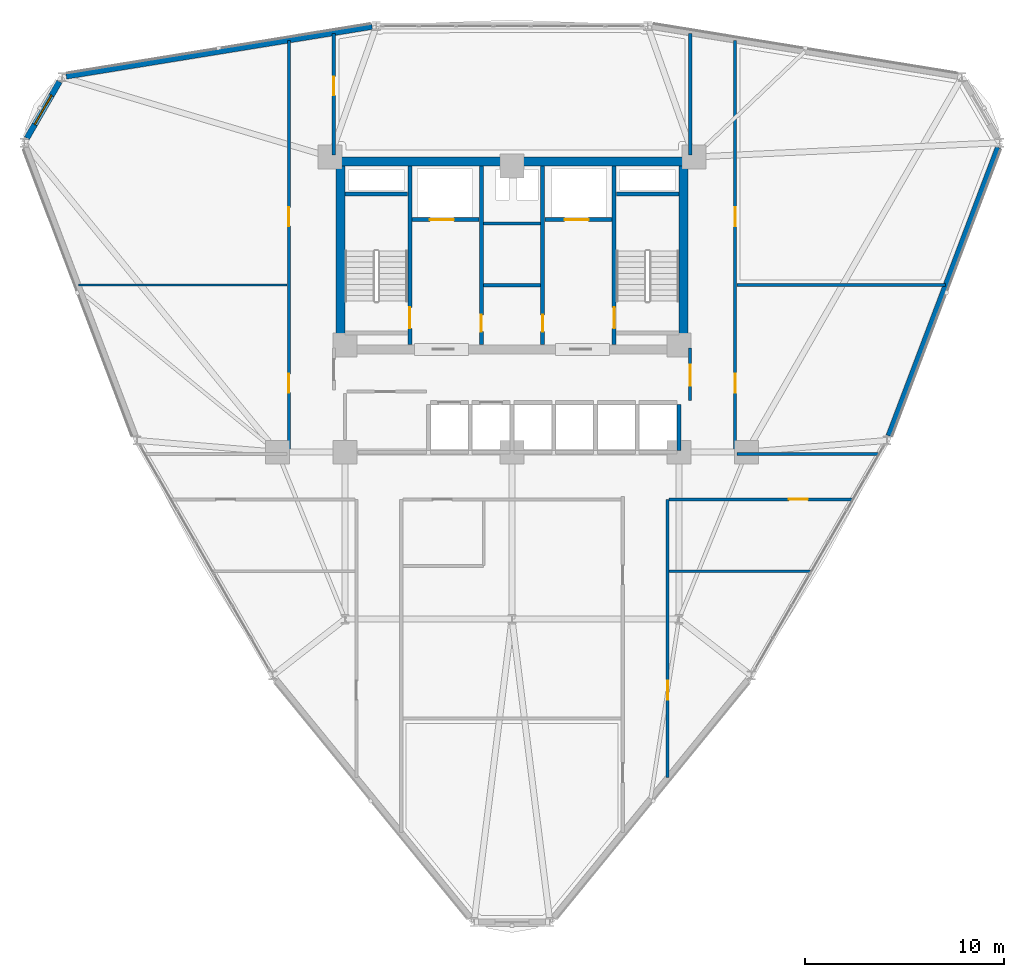
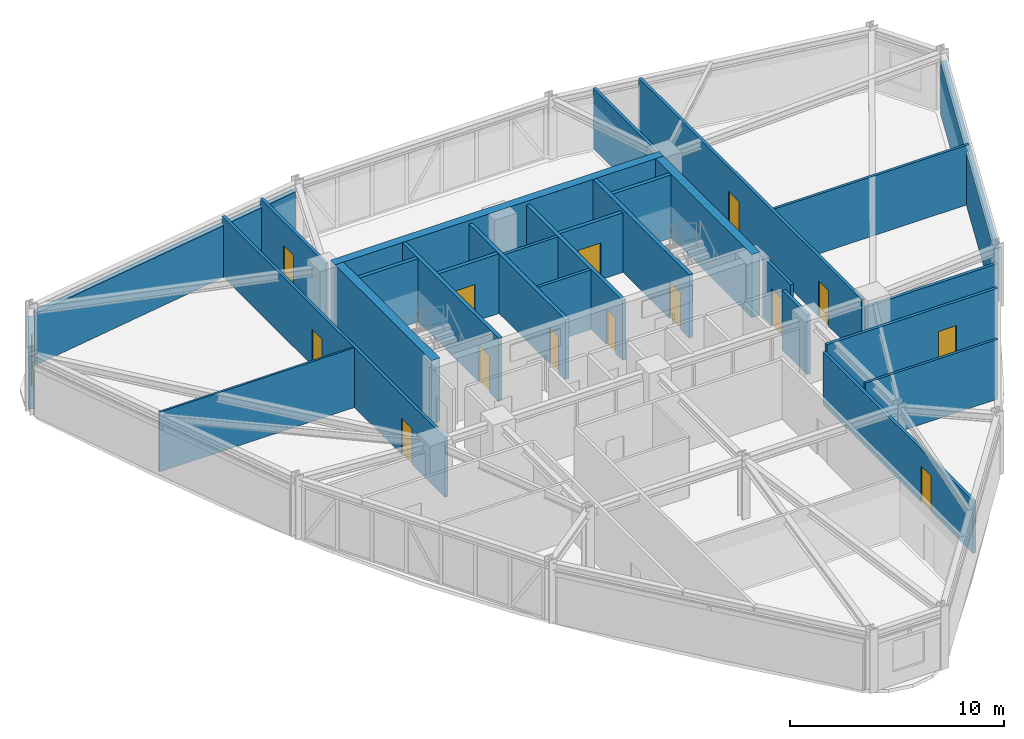
# One storey, part 11 of 17: 28 walls, 14 doors, 1 window, 15 openings.
"""IFC4 building model written with IfcOpenShell, lengths in metres."""

from ifc_helpers import new_model, si_unit, derived_unit, direction, frame, frame_2d, origin, place, context, subcontext, project, spatial, rectangle, extrude, material, layer, layer_set, type_object, element, fill, save


model = new_model("IFC4")

# Units and contexts
model_context = context("Model", 3, precision=1e-05, world=origin(), true_north=direction((0.0, 1.0)))
body_context = subcontext(model_context, "Body", "Model", "MODEL_VIEW")
ifc_project = project(units=[si_unit("LENGTHUNIT", "METRE"), si_unit("AREAUNIT", "SQUARE_METRE"), si_unit("VOLUMEUNIT", "CUBIC_METRE"), si_unit("PLANEANGLEUNIT", "RADIAN"), si_unit("MASSUNIT", "GRAM", prefix="KILO"), derived_unit("THERMALTRANSMITTANCEUNIT", [(si_unit("POWERUNIT", "WATT"), 1), (si_unit("LENGTHUNIT", "METRE"), -2), (si_unit("THERMODYNAMICTEMPERATUREUNIT", "KELVIN"), -1)])], contexts=[model_context])

# Site, building, storey
site_placement = place(None, origin())
site = spatial("IfcSite", under=ifc_project, at=site_placement, CompositionType="ELEMENT")
building_placement = place(site_placement, origin())
building = spatial("IfcBuilding", under=site, at=building_placement, Name="Korsvarv Bourse and Concert Hall", CompositionType="ELEMENT")
storey_placement = place(building_placement, frame((0.0, 0.0, 120.60009765625)))
storey = spatial("IfcBuildingStorey", under=building, at=storey_placement, Name="L30", CompositionType="ELEMENT", Elevation=120.60009765625)

# Wall, opening, door
ifc_material_1 = material(Name="Concrete C50/60", Category="concrete")
ifc_layer_1 = layer(ifc_material_1, 0.3798828125)
ifc_layer_set_1 = layer_set([ifc_layer_1], Name="Concrete C50/60")
wall_type_1 = type_object("IfcWallType", Name="WL-CORE-380", PredefinedType="SHEAR", material=ifc_layer_set_1)
wall_1_placement = place(storey_placement, frame((30.860107421875, 37.81005859375, 0.0), z_axis=(0.0, 0.0, 1.0), x_axis=(0.0, 1.0, 0.0)))
wall_1 = element("IfcWall", 1, at=wall_1_placement, inside=storey, type_object=wall_type_1, Name="L30 stair shaft structural wall W-L30-ST1-E", PredefinedType="SHEAR", context=body_context, shape_type="SweptSolid", body=[
    extrude(rectangle(XDim=8.97998046875, YDim=0.199951171875, at=frame_2d((4.489990234375, 0.0))), origin(), (0.0, 0.0, 1.0), 3.599853515625),
])
opening_1_placement = place(wall_1_placement, frame((0.820068359375, 0.0, 0.0)))
opening_1 = element("IfcOpeningElement", 2, at=opening_1_placement, cuts=wall_1, Name="Opening D-01", PredefinedType="OPENING", context=body_context, shape_type="SweptSolid", body=[
    extrude(rectangle(XDim=1.050048828125, YDim=2.10009765625, at=frame_2d((0.52490234375, 1.050048828125))), frame((0.0, 0.10986328125, 0.0), z_axis=(0.0, -1.0, 0.0), x_axis=(1.0, 0.0, 0.0)), (0.0, 0.0, 1.0), 0.219970703125),
])
ifc_material_2 = material(Name="Steel S355 fire door", Category="steel")
door_type_1 = type_object("IfcDoorType", Name="DR-FD60", OperationType="NOTDEFINED", PredefinedType="DOOR", material=ifc_material_2)
door_1_placement = place(opening_1_placement, origin())
door_1 = element("IfcDoor", 3, at=door_1_placement, inside=storey, type_object=door_type_1, Name="L30 interior door DR-L30-ST1", OperationType="SINGLE_SWING_RIGHT", OverallHeight=2.10009765625, OverallWidth=1.050048828125, PredefinedType="DOOR", context=body_context, shape_type="SweptSolid", body=[
    extrude(rectangle(XDim=1.050048828125, YDim=2.10009765625, at=frame_2d((0.52490234375, 1.050048828125))), frame((0.0, 0.02490234375, 0.0), z_axis=(0.0, -1.0, 0.0), x_axis=(1.0, 0.0, 0.0)), (0.0, 0.0, 1.0), 0.050048828125),
])
fill(opening_1, door_1)

# Wall
wall_2_placement = place(storey_placement, frame((27.610107421875, 45.39990234375, 0.0), z_axis=(0.0, 0.0, 1.0), x_axis=(1.0, 0.0, 0.0)))
element("IfcWall", 4, at=wall_2_placement, inside=storey, type_object=wall_type_1, Name="L30 stair shaft structural wall W-L30-ST1-N", PredefinedType="SHEAR", context=body_context, shape_type="SweptSolid", body=[
    extrude(rectangle(XDim=3.139892578125, YDim=0.199951171875, at=frame_2d((1.56982421875, 0.0))), origin(), (0.0, 0.0, 1.0), 3.599853515625),
])

# Wall, opening, door
wall_3_placement = place(storey_placement, frame((41.139892578125, 37.81005859375, 0.0), z_axis=(0.0, 0.0, 1.0), x_axis=(0.0, 1.0, 0.0)))
wall_3 = element("IfcWall", 5, at=wall_3_placement, inside=storey, type_object=wall_type_1, Name="L30 stair shaft structural wall W-L30-ST2-W", PredefinedType="SHEAR", context=body_context, shape_type="SweptSolid", body=[
    extrude(rectangle(XDim=8.97998046875, YDim=0.199951171875, at=frame_2d((4.489990234375, 0.0))), origin(), (0.0, 0.0, 1.0), 3.599853515625),
])
opening_2_placement = place(wall_3_placement, frame((0.820068359375, 0.0, 0.0)))
opening_2 = element("IfcOpeningElement", 6, at=opening_2_placement, cuts=wall_3, Name="Opening D-01", PredefinedType="OPENING", context=body_context, shape_type="SweptSolid", body=[
    extrude(rectangle(XDim=1.050048828125, YDim=2.10009765625, at=frame_2d((0.52490234375, 1.050048828125))), frame((0.0, 0.10986328125, 0.0), z_axis=(0.0, -1.0, 0.0), x_axis=(1.0, 0.0, 0.0)), (0.0, 0.0, 1.0), 0.219970703125),
])
door_2_placement = place(opening_2_placement, frame((1.050048828125, 0.0, 0.0), z_axis=(0.0, 0.0, 1.0), x_axis=(-1.0, 0.0, 0.0)))
door_2 = element("IfcDoor", 7, at=door_2_placement, inside=storey, type_object=door_type_1, Name="L30 interior door DR-L30-ST2", OperationType="SINGLE_SWING_LEFT", OverallHeight=2.10009765625, OverallWidth=1.050048828125, PredefinedType="DOOR", context=body_context, shape_type="SweptSolid", body=[
    extrude(rectangle(XDim=1.050048828125, YDim=2.10009765625, at=frame_2d((0.52490234375, 1.050048828125))), frame((0.0, 0.02490234375, 0.0), z_axis=(0.0, -1.0, 0.0), x_axis=(1.0, 0.0, 0.0)), (0.0, 0.0, 1.0), 0.050048828125),
])
fill(opening_2, door_2)

# Walls
wall_4_placement = place(storey_placement, frame((41.25, 45.39990234375, 0.0), z_axis=(0.0, 0.0, 1.0), x_axis=(1.0, 0.0, 0.0)))
element("IfcWall", 8, at=wall_4_placement, inside=storey, type_object=wall_type_1, Name="L30 stair shaft structural wall W-L30-ST2-N", PredefinedType="SHEAR", context=body_context, shape_type="SweptSolid", body=[
    extrude(rectangle(XDim=3.139892578125, YDim=0.199951171875, at=frame_2d((1.56982421875, 0.0))), origin(), (0.0, 0.0, 1.0), 3.599853515625),
])
ifc_material_3 = material(Name="Concrete C55/67", Category="concrete")
ifc_layer_2 = layer(ifc_material_3, 0.449951171875)
ifc_layer_set_2 = layer_set([ifc_layer_2], Name="Concrete C55/67")
wall_type_2 = type_object("IfcWallType", Name="WL-CORE-450", PredefinedType="SHEAR", material=ifc_layer_set_2)
wall_5_placement = place(storey_placement, frame((27.14990234375, 47.02490234375, 0.0), z_axis=(0.0, 0.0, 1.0), x_axis=(1.0, 0.0, 0.0)))
element("IfcWall", 9, at=wall_5_placement, inside=storey, type_object=wall_type_2, Name="L30 North Core Shear Wall", PredefinedType="SHEAR", context=body_context, shape_type="SweptSolid", body=[
    extrude(rectangle(XDim=17.7001953125, YDim=0.449951171875, at=frame_2d((8.85009765625, 0.0))), origin(), (0.0, 0.0, 1.0), 3.599853515625),
])
for number, where, z_axis, x_axis, name in (
    (10, (27.375, 37.800048828125, 0.0), (0.0, 0.0, 1.0), (0.0, 1.0, 0.0), "L30 West Core Shear Wall"),
    (11, (44.625, 37.800048828125, 0.0), (0.0, 0.0, 1.0), (0.0, 1.0, 0.0), "L30 East Core Shear Wall"),
):
    element("IfcWall", number, at=place(storey_placement, frame(where, z_axis=z_axis, x_axis=x_axis)), inside=storey, type_object=wall_type_2, Name=name, PredefinedType="SHEAR", context=body_context, shape_type="SweptSolid", body=[
        extrude(rectangle(XDim=9.0, YDim=0.449951171875, at=frame_2d((4.5, 0.0))), origin(), (0.0, 0.0, 1.0), 3.599853515625),
    ])

# Wall, opening, window
ifc_material_4 = material(Name="Precast concrete C45/55 with terracotta rainscreen", Category="concrete")
ifc_layer_3 = layer(ifc_material_4, 0.300048828125)
ifc_layer_set_3 = layer_set([ifc_layer_3], Name="Precast concrete C45/55 with terracotta rainscreen")
wall_type_3 = type_object("IfcWallType", Name="WL-EXT-TC1", PredefinedType="SOLIDWALL", material=ifc_layer_set_3)
wall_6_placement = place(storey_placement, frame((13.23193359375, 51.038330078125, 0.0), z_axis=(0.0, 0.0, 1.0), x_axis=(-0.500014611105, -0.866016967894, 0.0)))
wall_6 = element("IfcWall", 12, at=wall_6_placement, inside=storey, type_object=wall_type_3, Name="L30 terracotta exterior wall EW-L30-B05", PredefinedType="SOLIDWALL", context=body_context, shape_type="SweptSolid", body=[
    extrude(rectangle(XDim=3.279296875, YDim=0.300048828125, at=frame_2d((1.6396484375, 0.0))), origin(), (0.0, 0.0, 1.0), 3.0),
])
opening_3_placement = place(wall_6_placement, frame((0.78955078125, 0.0, 0.75)))
opening_3 = element("IfcOpeningElement", 13, at=opening_3_placement, cuts=wall_6, Name="Opening W-01", PredefinedType="OPENING", context=body_context, shape_type="SweptSolid", body=[
    extrude(rectangle(XDim=1.699951171875, YDim=1.75, at=frame_2d((0.85009765625, 0.875))), frame((0.0, 0.16015625, 0.0), z_axis=(0.0, -1.0, 0.0), x_axis=(1.0, 0.0, 0.0)), (0.0, 0.0, 1.0), 0.320068359375),
])
ifc_material_5 = material(Name="Thermally broken aluminium frame with triple low-E glass", Category="glass")
window_type = type_object("IfcWindowType", Name="WIN-TW1", PartitioningType="SINGLE_PANEL", PredefinedType="WINDOW", material=ifc_material_5)
window_placement = place(opening_3_placement, origin())
window = element("IfcWindow", 14, at=window_placement, inside=storey, type_object=window_type, Name="L30 punched facade window W-01", OverallHeight=1.75, OverallWidth=1.699951171875, PartitioningType="SINGLE_PANEL", PredefinedType="WINDOW", context=body_context, shape_type="SweptSolid", body=[
    extrude(rectangle(XDim=1.699951171875, YDim=1.75, at=frame_2d((0.85009765625, 0.875))), frame((0.0, 0.030029296875, 0.0), z_axis=(0.0, -1.0, 0.0), x_axis=(1.0, 0.0, 0.0)), (0.0, 0.0, 1.0), 0.06005859375),
])
fill(opening_3, window)

# Walls
ifc_material_6 = material(Name="Precast concrete C45/55 with fluted terracotta pier", Category="concrete")
ifc_layer_4 = layer(ifc_material_6, 0.280029296875)
ifc_layer_set_4 = layer_set([ifc_layer_4], Name="Precast concrete C45/55 with fluted terracotta pier")
wall_type_4 = type_object("IfcWallType", Name="WL-EXT-TC2", PredefinedType="SOLIDWALL", material=ifc_layer_set_4)
wall_7_placement = place(storey_placement, frame((28.959228515625, 53.806396484375, 0.0), z_axis=(0.0, 0.0, 1.0), x_axis=(-0.987036263752, -0.160497395736, 0.0)))
element("IfcWall", 15, at=wall_7_placement, inside=storey, type_object=wall_type_4, Name="L30 terracotta exterior wall EW-L30-B04", PredefinedType="SOLIDWALL", context=body_context, shape_type="SweptSolid", body=[
    extrude(rectangle(XDim=15.5810546875, YDim=0.280029296875, at=frame_2d((7.79052734375, 0.0))), origin(), (0.0, 0.0, 1.0), 2.949951171875),
])
wall_8_placement = place(storey_placement, frame((54.952392578125, 33.22412109375, 0.0), z_axis=(0.0, 0.0, 1.0), x_axis=(0.354519532047, 0.935048609109, 0.0)))
element("IfcWall", 16, at=wall_8_placement, inside=storey, type_object=wall_type_4, Name="L30 terracotta exterior wall EW-L30-B12", PredefinedType="SOLIDWALL", context=body_context, shape_type="SweptSolid", body=[
    extrude(rectangle(XDim=15.517333984375, YDim=0.280029296875, at=frame_2d((7.7587890625, 0.0))), origin(), (0.0, 0.0, 1.0), 3.0),
])

# Wall, opening, door
ifc_material_7 = material(Name="Reinforced concrete blockwork C35/45 fire wall", Category="concrete")
ifc_layer_5 = layer(ifc_material_7, 0.199951171875)
ifc_layer_set_5 = layer_set([ifc_layer_5], Name="Reinforced concrete blockwork C35/45 fire wall")
wall_type_5 = type_object("IfcWallType", Name="WL-INT-EI120", PredefinedType="PARTITIONING", material=ifc_layer_set_5)
wall_9_placement = place(storey_placement, frame((30.969970703125, 44.10009765625, 0.0), z_axis=(0.0, 0.0, 1.0), x_axis=(1.0, 0.0, 0.0)))
wall_9 = element("IfcWall", 17, at=wall_9_placement, inside=storey, type_object=wall_type_5, Name="L30 interior partition wall W-L30-FF1-S", PredefinedType="PARTITIONING", context=body_context, shape_type="SweptSolid", body=[
    extrude(rectangle(XDim=3.380126953125, YDim=0.199951171875, at=frame_2d((1.68994140625, 0.0))), origin(), (0.0, 0.0, 1.0), 3.39990234375),
])
opening_4_placement = place(wall_9_placement, frame((0.89990234375, 0.0, 0.0)))
opening_4 = element("IfcOpeningElement", 18, at=opening_4_placement, cuts=wall_9, Name="Opening LD-1", PredefinedType="OPENING", context=body_context, shape_type="SweptSolid", body=[
    extrude(rectangle(XDim=1.199951171875, YDim=2.10009765625, at=frame_2d((0.60009765625, 1.050048828125))), frame((0.0, 0.10986328125, 0.0), z_axis=(0.0, -1.0, 0.0), x_axis=(1.0, 0.0, 0.0)), (0.0, 0.0, 1.0), 0.219970703125),
])
ifc_material_8 = material(Name="Stainless Steel S355 firefighting lift landing door", Category="steel")
door_type_2 = type_object("IfcDoorType", Name="DR-LIFT-FF", OperationType="DOUBLE_DOOR_SLIDING", PredefinedType="DOOR", material=ifc_material_8)
door_3_placement = place(opening_4_placement, origin())
door_3 = element("IfcDoor", 19, at=door_3_placement, inside=storey, type_object=door_type_2, Name="L30 lift sliding landing door LD-L30-FF1", OperationType="DOUBLE_DOOR_SLIDING", OverallHeight=2.10009765625, OverallWidth=1.199951171875, PredefinedType="DOOR", context=body_context, shape_type="SweptSolid", body=[
    extrude(rectangle(XDim=1.199951171875, YDim=2.10009765625, at=frame_2d((0.60009765625, 1.050048828125))), frame((0.0, 0.02490234375, 0.0), z_axis=(0.0, -1.0, 0.0), x_axis=(1.0, 0.0, 0.0)), (0.0, 0.0, 1.0), 0.050048828125),
])
fill(opening_4, door_3)

wall_10_placement = place(storey_placement, frame((37.64990234375, 44.10009765625, 0.0), z_axis=(0.0, 0.0, 1.0), x_axis=(1.0, 0.0, 0.0)))
wall_10 = element("IfcWall", 20, at=wall_10_placement, inside=storey, type_object=wall_type_5, Name="L30 interior partition wall W-L30-FF2-S", PredefinedType="PARTITIONING", context=body_context, shape_type="SweptSolid", body=[
    extrude(rectangle(XDim=3.380126953125, YDim=0.199951171875, at=frame_2d((1.68994140625, 0.0))), origin(), (0.0, 0.0, 1.0), 3.39990234375),
])
opening_5_placement = place(wall_10_placement, frame((1.0, 0.0, 0.0)))
opening_5 = element("IfcOpeningElement", 21, at=opening_5_placement, cuts=wall_10, Name="Opening LD-1", PredefinedType="OPENING", context=body_context, shape_type="SweptSolid", body=[
    extrude(rectangle(XDim=1.199951171875, YDim=2.10009765625, at=frame_2d((0.60009765625, 1.050048828125))), frame((0.0, 0.10986328125, 0.0), z_axis=(0.0, -1.0, 0.0), x_axis=(1.0, 0.0, 0.0)), (0.0, 0.0, 1.0), 0.219970703125),
])
door_4_placement = place(opening_5_placement, origin())
door_4 = element("IfcDoor", 22, at=door_4_placement, inside=storey, type_object=door_type_2, Name="L30 lift sliding landing door LD-L30-FF2", OperationType="DOUBLE_DOOR_SLIDING", OverallHeight=2.10009765625, OverallWidth=1.199951171875, PredefinedType="DOOR", context=body_context, shape_type="SweptSolid", body=[
    extrude(rectangle(XDim=1.199951171875, YDim=2.10009765625, at=frame_2d((0.60009765625, 1.050048828125))), frame((0.0, 0.02490234375, 0.0), z_axis=(0.0, -1.0, 0.0), x_axis=(1.0, 0.0, 0.0)), (0.0, 0.0, 1.0), 0.050048828125),
])
fill(opening_5, door_4)

wall_11_placement = place(storey_placement, frame((34.4599609375, 37.81005859375, 0.0), z_axis=(0.0, 0.0, 1.0), x_axis=(0.0, 1.0, 0.0)))
wall_11 = element("IfcWall", 23, at=wall_11_placement, inside=storey, type_object=wall_type_5, Name="L30 interior partition wall W-L30-CSB-W", PredefinedType="PARTITIONING", context=body_context, shape_type="SweptSolid", body=[
    extrude(rectangle(XDim=8.97998046875, YDim=0.199951171875, at=frame_2d((4.489990234375, 0.0))), origin(), (0.0, 0.0, 1.0), 3.39990234375),
])
opening_6_placement = place(wall_11_placement, frame((0.64990234375, 0.0, 0.0)))
opening_6 = element("IfcOpeningElement", 24, at=opening_6_placement, cuts=wall_11, Name="Opening D-05", PredefinedType="OPENING", context=body_context, shape_type="SweptSolid", body=[
    extrude(rectangle(XDim=0.85009765625, YDim=2.050048828125, at=frame_2d((0.425048828125, 1.02490234375))), frame((0.0, 0.10986328125, 0.0), z_axis=(0.0, -1.0, 0.0), x_axis=(1.0, 0.0, 0.0)), (0.0, 0.0, 1.0), 0.219970703125),
])
door_type_3 = type_object("IfcDoorType", Name="DR-FD60-850X2050", OperationType="NOTDEFINED", PredefinedType="DOOR", material=ifc_material_2)
door_5_placement = place(opening_6_placement, frame((0.85009765625, 0.0, 0.0), z_axis=(0.0, 0.0, 1.0), x_axis=(-1.0, 0.0, 0.0)))
door_5 = element("IfcDoor", 25, at=door_5_placement, inside=storey, type_object=door_type_3, Name="L30 interior door DR-L30-CSB1", OperationType="SINGLE_SWING_RIGHT", OverallHeight=2.050048828125, OverallWidth=0.85009765625, PredefinedType="DOOR", context=body_context, shape_type="SweptSolid", body=[
    extrude(rectangle(XDim=0.85009765625, YDim=2.050048828125, at=frame_2d((0.425048828125, 1.02490234375))), frame((0.0, 0.02490234375, 0.0), z_axis=(0.0, -1.0, 0.0), x_axis=(1.0, 0.0, 0.0)), (0.0, 0.0, 1.0), 0.050048828125),
])
fill(opening_6, door_5)

wall_12_placement = place(storey_placement, frame((37.5400390625, 37.81005859375, 0.0), z_axis=(0.0, 0.0, 1.0), x_axis=(0.0, 1.0, 0.0)))
wall_12 = element("IfcWall", 26, at=wall_12_placement, inside=storey, type_object=wall_type_5, Name="L30 interior partition wall W-L30-CSB-E", PredefinedType="PARTITIONING", context=body_context, shape_type="SweptSolid", body=[
    extrude(rectangle(XDim=8.97998046875, YDim=0.199951171875, at=frame_2d((4.489990234375, 0.0))), origin(), (0.0, 0.0, 1.0), 3.39990234375),
])
opening_7_placement = place(wall_12_placement, frame((0.64990234375, 0.0, 0.0)))
opening_7 = element("IfcOpeningElement", 27, at=opening_7_placement, cuts=wall_12, Name="Opening D-05", PredefinedType="OPENING", context=body_context, shape_type="SweptSolid", body=[
    extrude(rectangle(XDim=0.85009765625, YDim=2.050048828125, at=frame_2d((0.425048828125, 1.02490234375))), frame((0.0, 0.10986328125, 0.0), z_axis=(0.0, -1.0, 0.0), x_axis=(1.0, 0.0, 0.0)), (0.0, 0.0, 1.0), 0.219970703125),
])
door_6_placement = place(opening_7_placement, origin())
door_6 = element("IfcDoor", 28, at=door_6_placement, inside=storey, type_object=door_type_3, Name="L30 interior door DR-L30-CSB2", OperationType="SINGLE_SWING_LEFT", OverallHeight=2.050048828125, OverallWidth=0.85009765625, PredefinedType="DOOR", context=body_context, shape_type="SweptSolid", body=[
    extrude(rectangle(XDim=0.85009765625, YDim=2.050048828125, at=frame_2d((0.425048828125, 1.02490234375))), frame((0.0, 0.02490234375, 0.0), z_axis=(0.0, -1.0, 0.0), x_axis=(1.0, 0.0, 0.0)), (0.0, 0.0, 1.0), 0.050048828125),
])
fill(opening_7, door_6)

# Walls
ifc_material_9 = material(Name="Double-stud fire-rated acoustic partition", Category="gypsum")
ifc_layer_6 = layer(ifc_material_9, 0.159912109375)
ifc_layer_set_6 = layer_set([ifc_layer_6], Name="Double-stud fire-rated acoustic partition")
wall_type_6 = type_object("IfcWallType", Name="WL-INT-EI60", PredefinedType="PARTITIONING", material=ifc_layer_set_6)
for number, where, z_axis, x_axis, name in (
    (29, (34.570068359375, 40.800048828125, 0.0), (0.0, 0.0, 1.0), (1.0, 0.0, 0.0), "L30 interior partition wall W-L30-K1"),
    (30, (34.570068359375, 43.89990234375, 0.0), (0.0, 0.0, 1.0), (1.0, 0.0, 0.0), "L30 interior partition wall W-L30-K2"),
):
    element("IfcWall", number, at=place(storey_placement, frame(where, z_axis=z_axis, x_axis=x_axis)), inside=storey, type_object=wall_type_6, Name=name, PredefinedType="PARTITIONING", context=body_context, shape_type="SweptSolid", body=[
        extrude(rectangle(XDim=2.85986328125, YDim=0.159912109375, at=frame_2d((1.429931640625, 0.0))), origin(), (0.0, 0.0, 1.0), 3.39990234375),
    ])

# Wall, opening, door
wall_13_placement = place(storey_placement, frame((44.9599609375, 35.0, 0.0), z_axis=(0.0, 0.0, 1.0), x_axis=(0.0, 1.0, 0.0)))
wall_13 = element("IfcWall", 31, at=wall_13_placement, inside=storey, type_object=wall_type_6, Name="L30 interior partition wall W-L30-LOB-E", PredefinedType="PARTITIONING", context=body_context, shape_type="SweptSolid", body=[
    extrude(rectangle(XDim=2.64990234375, YDim=0.159912109375, at=frame_2d((1.324951171875, 0.0))), origin(), (0.0, 0.0, 1.0), 3.39990234375),
])
opening_8_placement = place(wall_13_placement, frame((0.75, 0.0, 0.0)))
opening_8 = element("IfcOpeningElement", 32, at=opening_8_placement, cuts=wall_13, Name="Opening D-01", PredefinedType="OPENING", context=body_context, shape_type="SweptSolid", body=[
    extrude(rectangle(XDim=1.050048828125, YDim=2.10009765625, at=frame_2d((0.52490234375, 1.050048828125))), frame((0.0, 0.08984375, 0.0), z_axis=(0.0, -1.0, 0.0), x_axis=(1.0, 0.0, 0.0)), (0.0, 0.0, 1.0), 0.179931640625),
])
door_7_placement = place(opening_8_placement, origin())
door_7 = element("IfcDoor", 33, at=door_7_placement, inside=storey, type_object=door_type_1, Name="L30 interior door DR-L30-LOBE", OperationType="SINGLE_SWING_RIGHT", OverallHeight=2.10009765625, OverallWidth=1.050048828125, PredefinedType="DOOR", context=body_context, shape_type="SweptSolid", body=[
    extrude(rectangle(XDim=1.050048828125, YDim=2.10009765625, at=frame_2d((0.52490234375, 1.050048828125))), frame((0.0, 0.02490234375, 0.0), z_axis=(0.0, -1.0, 0.0), x_axis=(1.0, 0.0, 0.0)), (0.0, 0.0, 1.0), 0.050048828125),
])
fill(opening_8, door_7)

# Wall, openings, doors
wall_14_placement = place(storey_placement, frame((47.22509765625, 32.31005859375, 0.0), z_axis=(0.0, 0.0, 1.0), x_axis=(0.0, 1.0, 0.0)))
wall_14 = element("IfcWall", 34, at=wall_14_placement, inside=storey, type_object=wall_type_6, Name="L30 interior partition wall W-L30-TCOR-01", PredefinedType="PARTITIONING", context=body_context, shape_type="SweptSolid", body=[
    extrude(rectangle(XDim=20.7958984375, YDim=0.159912109375, at=frame_2d((10.39794921875, 0.0))), origin(), (0.0, 0.0, 1.0), 3.39990234375),
])
opening_9_placement = place(wall_14_placement, frame((3.08154296875, 0.0, 0.0)))
opening_9 = element("IfcOpeningElement", 35, at=opening_9_placement, cuts=wall_14, Name="Opening D-02", PredefinedType="OPENING", context=body_context, shape_type="SweptSolid", body=[
    extrude(rectangle(XDim=0.949951171875, YDim=2.050048828125, at=frame_2d((0.47509765625, 1.02490234375))), frame((0.0, 0.08984375, 0.0), z_axis=(0.0, -1.0, 0.0), x_axis=(1.0, 0.0, 0.0)), (0.0, 0.0, 1.0), 0.179931640625),
])
opening_10_placement = place(wall_14_placement, frame((11.459716796875, 0.0, 0.0)))
opening_10 = element("IfcOpeningElement", 36, at=opening_10_placement, cuts=wall_14, Name="Opening D-02", PredefinedType="OPENING", context=body_context, shape_type="SweptSolid", body=[
    extrude(rectangle(XDim=0.949951171875, YDim=2.050048828125, at=frame_2d((0.47509765625, 1.02490234375))), frame((0.0, 0.08984375, 0.0), z_axis=(0.0, -1.0, 0.0), x_axis=(1.0, 0.0, 0.0)), (0.0, 0.0, 1.0), 0.179931640625),
])
ifc_material_10 = material(Name="Timber and steel acoustic fire door", Category="wood")
door_type_4 = type_object("IfcDoorType", Name="DR-FD30", OperationType="NOTDEFINED", PredefinedType="DOOR", material=ifc_material_10)
door_8_placement = place(opening_9_placement, origin())
door_8 = element("IfcDoor", 37, at=door_8_placement, inside=storey, type_object=door_type_4, Name="L30 interior door DR-L30-TCOR-ES81", OperationType="SINGLE_SWING_LEFT", OverallHeight=2.050048828125, OverallWidth=0.949951171875, PredefinedType="DOOR", context=body_context, shape_type="SweptSolid", body=[
    extrude(rectangle(XDim=0.949951171875, YDim=2.050048828125, at=frame_2d((0.47509765625, 1.02490234375))), frame((0.0, 0.02490234375, 0.0), z_axis=(0.0, -1.0, 0.0), x_axis=(1.0, 0.0, 0.0)), (0.0, 0.0, 1.0), 0.050048828125),
])
fill(opening_9, door_8)
door_9_placement = place(opening_10_placement, origin())
door_9 = element("IfcDoor", 38, at=door_9_placement, inside=storey, type_object=door_type_4, Name="L30 interior door DR-L30-TCOR-RM22", OperationType="SINGLE_SWING_RIGHT", OverallHeight=2.050048828125, OverallWidth=0.949951171875, PredefinedType="DOOR", context=body_context, shape_type="SweptSolid", body=[
    extrude(rectangle(XDim=0.949951171875, YDim=2.050048828125, at=frame_2d((0.47509765625, 1.02490234375))), frame((0.0, 0.02490234375, 0.0), z_axis=(0.0, -1.0, 0.0), x_axis=(1.0, 0.0, 0.0)), (0.0, 0.0, 1.0), 0.050048828125),
])
fill(opening_10, door_9)

wall_15_placement = place(storey_placement, frame((24.77490234375, 32.31005859375, 0.0), z_axis=(0.0, 0.0, 1.0), x_axis=(0.0, 1.0, 0.0)))
wall_15 = element("IfcWall", 39, at=wall_15_placement, inside=storey, type_object=wall_type_6, Name="L30 interior partition wall W-L30-TCOR-02", PredefinedType="PARTITIONING", context=body_context, shape_type="SweptSolid", body=[
    extrude(rectangle(XDim=20.7958984375, YDim=0.159912109375, at=frame_2d((10.39794921875, 0.0))), origin(), (0.0, 0.0, 1.0), 3.39990234375),
])
opening_11_placement = place(wall_15_placement, frame((3.08154296875, 0.0, 0.0)))
opening_11 = element("IfcOpeningElement", 40, at=opening_11_placement, cuts=wall_15, Name="Opening D-02", PredefinedType="OPENING", context=body_context, shape_type="SweptSolid", body=[
    extrude(rectangle(XDim=0.949951171875, YDim=2.050048828125, at=frame_2d((0.47509765625, 1.02490234375))), frame((0.0, 0.08984375, 0.0), z_axis=(0.0, -1.0, 0.0), x_axis=(1.0, 0.0, 0.0)), (0.0, 0.0, 1.0), 0.179931640625),
])
opening_12_placement = place(wall_15_placement, frame((11.459716796875, 0.0, 0.0)))
opening_12 = element("IfcOpeningElement", 41, at=opening_12_placement, cuts=wall_15, Name="Opening D-02", PredefinedType="OPENING", context=body_context, shape_type="SweptSolid", body=[
    extrude(rectangle(XDim=0.949951171875, YDim=2.050048828125, at=frame_2d((0.47509765625, 1.02490234375))), frame((0.0, 0.08984375, 0.0), z_axis=(0.0, -1.0, 0.0), x_axis=(1.0, 0.0, 0.0)), (0.0, 0.0, 1.0), 0.179931640625),
])
door_10_placement = place(opening_11_placement, origin())
door_10 = element("IfcDoor", 42, at=door_10_placement, inside=storey, type_object=door_type_4, Name="L30 interior door DR-L30-TCOR-ES610", OperationType="SINGLE_SWING_LEFT", OverallHeight=2.050048828125, OverallWidth=0.949951171875, PredefinedType="DOOR", context=body_context, shape_type="SweptSolid", body=[
    extrude(rectangle(XDim=0.949951171875, YDim=2.050048828125, at=frame_2d((0.47509765625, 1.02490234375))), frame((0.0, 0.02490234375, 0.0), z_axis=(0.0, -1.0, 0.0), x_axis=(1.0, 0.0, 0.0)), (0.0, 0.0, 1.0), 0.050048828125),
])
fill(opening_11, door_10)
door_11_placement = place(opening_12_placement, origin())
door_11 = element("IfcDoor", 43, at=door_11_placement, inside=storey, type_object=door_type_4, Name="L30 interior door DR-L30-TCOR-ES711", OperationType="SINGLE_SWING_RIGHT", OverallHeight=2.050048828125, OverallWidth=0.949951171875, PredefinedType="DOOR", context=body_context, shape_type="SweptSolid", body=[
    extrude(rectangle(XDim=0.949951171875, YDim=2.050048828125, at=frame_2d((0.47509765625, 1.02490234375))), frame((0.0, 0.02490234375, 0.0), z_axis=(0.0, -1.0, 0.0), x_axis=(1.0, 0.0, 0.0)), (0.0, 0.0, 1.0), 0.050048828125),
])
fill(opening_12, door_11)

# Wall, opening, door
wall_16_placement = place(storey_placement, frame((43.824951171875, 16.02880859375, 0.0), z_axis=(0.0, 0.0, 1.0), x_axis=(0.0, 1.0, 0.0)))
wall_16 = element("IfcWall", 44, at=wall_16_placement, inside=storey, type_object=wall_type_6, Name="L30 interior partition wall W-L30-TCOR-06", PredefinedType="PARTITIONING", context=body_context, shape_type="SweptSolid", body=[
    extrude(rectangle(XDim=14.001220703125, YDim=0.159912109375, at=frame_2d((7.00048828125, 0.0))), origin(), (0.0, 0.0, 1.0), 3.0),
])
opening_13_placement = place(wall_16_placement, frame((3.918701171875, 0.0, 0.0)))
opening_13 = element("IfcOpeningElement", 45, at=opening_13_placement, cuts=wall_16, Name="Opening D-02", PredefinedType="OPENING", context=body_context, shape_type="SweptSolid", body=[
    extrude(rectangle(XDim=0.949951171875, YDim=2.050048828125, at=frame_2d((0.47509765625, 1.02490234375))), frame((0.0, 0.08984375, 0.0), z_axis=(0.0, -1.0, 0.0), x_axis=(1.0, 0.0, 0.0)), (0.0, 0.0, 1.0), 0.179931640625),
])
door_12_placement = place(opening_13_placement, origin())
door_12 = element("IfcDoor", 46, at=door_12_placement, inside=storey, type_object=door_type_4, Name="L30 interior door DR-L30-TCOR-ES53", OperationType="SINGLE_SWING_RIGHT", OverallHeight=2.050048828125, OverallWidth=0.949951171875, PredefinedType="DOOR", context=body_context, shape_type="SweptSolid", body=[
    extrude(rectangle(XDim=0.949951171875, YDim=2.050048828125, at=frame_2d((0.47509765625, 1.02490234375))), frame((0.0, 0.02490234375, 0.0), z_axis=(0.0, -1.0, 0.0), x_axis=(1.0, 0.0, 0.0)), (0.0, 0.0, 1.0), 0.050048828125),
])
fill(opening_13, door_12)

wall_17_placement = place(storey_placement, frame((43.906982421875, 30.02490234375, 0.0), z_axis=(0.0, 0.0, 1.0), x_axis=(1.0, 0.0, 0.0)))
wall_17 = element("IfcWall", 47, at=wall_17_placement, inside=storey, type_object=wall_type_6, Name="L30 interior partition wall W-L30-TCOR-09", PredefinedType="PARTITIONING", context=body_context, shape_type="SweptSolid", body=[
    extrude(rectangle(XDim=9.224609375, YDim=0.159912109375, at=frame_2d((4.6123046875, 0.0))), origin(), (0.0, 0.0, 1.0), 3.39990234375),
])
opening_14_placement = place(wall_17_placement, frame((6.02490234375, 0.0, 0.0)))
opening_14 = element("IfcOpeningElement", 48, at=opening_14_placement, cuts=wall_17, Name="Opening D-02", PredefinedType="OPENING", context=body_context, shape_type="SweptSolid", body=[
    extrude(rectangle(XDim=0.949951171875, YDim=2.050048828125, at=frame_2d((0.47509765625, 1.02490234375))), frame((0.0, 0.08984375, 0.0), z_axis=(0.0, -1.0, 0.0), x_axis=(1.0, 0.0, 0.0)), (0.0, 0.0, 1.0), 0.179931640625),
])
door_13_placement = place(opening_14_placement, origin())
door_13 = element("IfcDoor", 49, at=door_13_placement, inside=storey, type_object=door_type_4, Name="L30 interior door DR-L30-TCOR-ES24", OperationType="SINGLE_SWING_LEFT", OverallHeight=2.050048828125, OverallWidth=0.949951171875, PredefinedType="DOOR", context=body_context, shape_type="SweptSolid", body=[
    extrude(rectangle(XDim=0.949951171875, YDim=2.050048828125, at=frame_2d((0.47509765625, 1.02490234375))), frame((0.0, 0.02490234375, 0.0), z_axis=(0.0, -1.0, 0.0), x_axis=(1.0, 0.0, 0.0)), (0.0, 0.0, 1.0), 0.050048828125),
])
fill(opening_14, door_13)

# Wall
wall_18_placement = place(storey_placement, frame((47.306884765625, 32.31494140625, 0.0), z_axis=(0.0, 0.0, 1.0), x_axis=(1.0, 0.0, 0.0)))
element("IfcWall", 50, at=wall_18_placement, inside=storey, type_object=wall_type_6, Name="L30 interior partition wall W-L30-TCOR-11", PredefinedType="PARTITIONING", context=body_context, shape_type="SweptSolid", body=[
    extrude(rectangle(XDim=7.146728515625, YDim=0.159912109375, at=frame_2d((3.5732421875, 0.0))), origin(), (0.0, 0.0, 1.0), 2.949951171875),
])

# Wall, opening, door
wall_19_placement = place(storey_placement, frame((27.034912109375, 47.340087890625, 0.0), z_axis=(0.0, 0.0, 1.0), x_axis=(0.0, 1.0, 0.0)))
wall_19 = element("IfcWall", 51, at=wall_19_placement, inside=storey, type_object=wall_type_6, Name="L30 interior partition wall W-L30-TCOR-12", PredefinedType="PARTITIONING", context=body_context, shape_type="SweptSolid", body=[
    extrude(rectangle(XDim=6.13330078125, YDim=0.159912109375, at=frame_2d((3.066650390625, 0.0))), origin(), (0.0, 0.0, 1.0), 3.39990234375),
])
opening_15_placement = place(wall_19_placement, frame((3.0048828125, 0.0, 0.0)))
opening_15 = element("IfcOpeningElement", 52, at=opening_15_placement, cuts=wall_19, Name="Opening D-02", PredefinedType="OPENING", context=body_context, shape_type="SweptSolid", body=[
    extrude(rectangle(XDim=0.949951171875, YDim=2.050048828125, at=frame_2d((0.47509765625, 1.02490234375))), frame((0.0, 0.08984375, 0.0), z_axis=(0.0, -1.0, 0.0), x_axis=(1.0, 0.0, 0.0)), (0.0, 0.0, 1.0), 0.179931640625),
])
door_14_placement = place(opening_15_placement, origin())
door_14 = element("IfcDoor", 53, at=door_14_placement, inside=storey, type_object=door_type_4, Name="L30 interior door DR-L30-TCOR-RM55", OperationType="SINGLE_SWING_RIGHT", OverallHeight=2.050048828125, OverallWidth=0.949951171875, PredefinedType="DOOR", context=body_context, shape_type="SweptSolid", body=[
    extrude(rectangle(XDim=0.949951171875, YDim=2.050048828125, at=frame_2d((0.47509765625, 1.02490234375))), frame((0.0, 0.02490234375, 0.0), z_axis=(0.0, -1.0, 0.0), x_axis=(1.0, 0.0, 0.0)), (0.0, 0.0, 1.0), 0.050048828125),
])
fill(opening_15, door_14)

# Walls
wall_20_placement = place(storey_placement, frame((44.965087890625, 47.340087890625, 0.0), z_axis=(0.0, 0.0, 1.0), x_axis=(0.0, 1.0, 0.0)))
element("IfcWall", 54, at=wall_20_placement, inside=storey, type_object=wall_type_6, Name="L30 interior partition wall W-L30-TCOR-13", PredefinedType="PARTITIONING", context=body_context, shape_type="SweptSolid", body=[
    extrude(rectangle(XDim=6.13330078125, YDim=0.159912109375, at=frame_2d((3.066650390625, 0.0))), origin(), (0.0, 0.0, 1.0), 3.39990234375),
])
ifc_material_11 = material(Name="Gypsum-clad autoclaved concrete shaft wall C30/37", Category="concrete")
ifc_layer_7 = layer(ifc_material_11, 0.179931640625)
ifc_layer_set_7 = layer_set([ifc_layer_7], Name="Gypsum-clad autoclaved concrete shaft wall C30/37")
wall_type_7 = type_object("IfcWallType", Name="WL-INT-EI90", PredefinedType="PARTITIONING", material=ifc_layer_set_7)
wall_21_placement = place(storey_placement, frame((44.39990234375, 32.489990234375, 0.0), z_axis=(0.0, 0.0, 1.0), x_axis=(0.0, 1.0, 0.0)))
element("IfcWall", 55, at=wall_21_placement, inside=storey, type_object=wall_type_7, Name="L30 interior partition wall W-L30-SHFE-END", PredefinedType="PARTITIONING", context=body_context, shape_type="SweptSolid", body=[
    extrude(rectangle(XDim=2.320068359375, YDim=0.179931640625, at=frame_2d((1.16015625, 0.0))), origin(), (0.0, 0.0, 1.0), 3.39990234375),
])
ifc_material_12 = material(Name="Demountable acoustic glass and aluminium dealing partition", Category="aluminium")
ifc_layer_8 = layer(ifc_material_12, 0.110107421875)
ifc_layer_set_8 = layer_set([ifc_layer_8], Name="Demountable acoustic glass and aluminium dealing partition")
wall_type_8 = type_object("IfcWallType", Name="WL-INT-MOV", PredefinedType="MOVABLE", material=ifc_layer_set_8)
wall_22_placement = place(storey_placement, frame((14.193359375, 40.804931640625, 0.0), z_axis=(0.0, 0.0, 1.0), x_axis=(1.0, 0.0, 0.0)))
element("IfcWall", 56, at=wall_22_placement, inside=storey, type_object=wall_type_8, Name="L30 interior partition wall W-L30-TCOR-15", PredefinedType="MOVABLE", context=body_context, shape_type="SweptSolid", body=[
    extrude(rectangle(XDim=10.499755859375, YDim=0.110107421875, at=frame_2d((5.25, 0.0))), origin(), (0.0, 0.0, 1.0), 3.39990234375),
])
ifc_material_13 = material(Name="Insulated steel-stud office acoustic partition", Category="gypsum")
ifc_layer_9 = layer(ifc_material_13, 0.139892578125)
ifc_layer_set_9 = layer_set([ifc_layer_9], Name="Insulated steel-stud office acoustic partition")
wall_type_9 = type_object("IfcWallType", Name="WL-INT-P1", PredefinedType="PARTITIONING", material=ifc_layer_set_9)
wall_23_placement = place(storey_placement, frame((47.306884765625, 40.804931640625, 0.0), z_axis=(0.0, 0.0, 1.0), x_axis=(1.0, 0.0, 0.0)))
element("IfcWall", 57, at=wall_23_placement, inside=storey, type_object=wall_type_9, Name="L30 interior partition wall W-L30-TCOR-16", PredefinedType="PARTITIONING", context=body_context, shape_type="SweptSolid", body=[
    extrude(rectangle(XDim=10.499755859375, YDim=0.139892578125, at=frame_2d((5.25, 0.0))), origin(), (0.0, 0.0, 1.0), 3.39990234375),
])
wall_24_placement = place(storey_placement, frame((43.906982421875, 26.405029296875, 0.0), z_axis=(0.0, 0.0, 1.0), x_axis=(1.0, 0.0, 0.0)))
element("IfcWall", 58, at=wall_24_placement, inside=storey, type_object=wall_type_9, Name="L30 interior partition wall W-L30-TCOR-18", PredefinedType="PARTITIONING", context=body_context, shape_type="SweptSolid", body=[
    extrude(rectangle(XDim=7.134521484375, YDim=0.139892578125, at=frame_2d((3.5673828125, 0.0))), origin(), (0.0, 0.0, 1.0), 3.39990234375),
])

save(model, "model.ifc")
